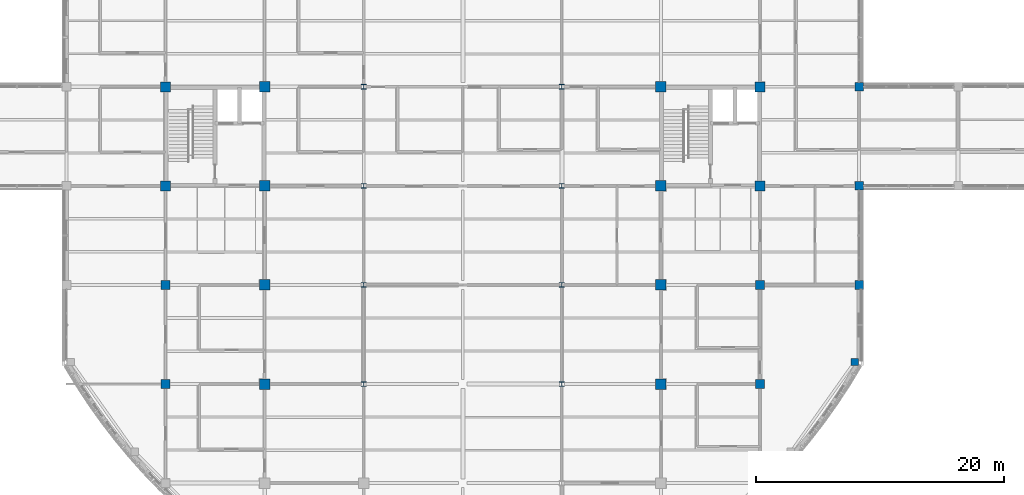
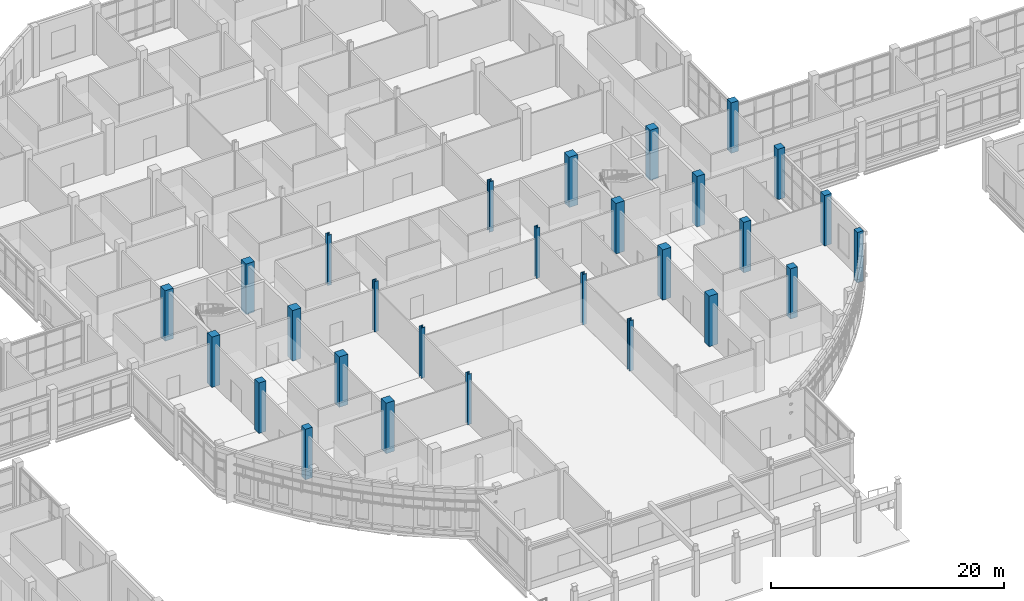
# One storey, part 4 of 105: 28 columns.
"""IFC4 building model written with IfcOpenShell, lengths in metres."""

import ifcopenshell
import ifcopenshell.guid

model = None  # the IFC model being written
_history = None  # IfcOwnerHistory: only IFC2X3 demands one
_inside = {}  # id of a spatial element -> (the spatial element, [elements in it])
_under = {}  # id of a project, library or spatial element -> (it, [spatial elements below it])
_declared = {}  # id of a project -> (the project, [libraries it declares])
_typed = {}  # id of a type object -> (the type object, [elements of that type])
_made_of = {}  # id of a material, layer set ... -> (it, [elements and type objects made of it])


def new_model(schema):
    """Start an empty IFC model of exactly this schema.

    Asked for "IFC4X3", IfcOpenShell would pick the latest addendum, in which some entities
    have other attributes; the version numbers below select the first issue.
    IFC2X3 requires an IfcOwnerHistory on every rooted entity: one is made here for all.
    """
    global model, _history
    if schema == "IFC4X3":
        model = ifcopenshell.file(schema_version=(4, 3, 0, 0))
    else:
        model = ifcopenshell.file(schema=schema)
    _inside.clear()
    _under.clear()
    _declared.clear()
    _typed.clear()
    _made_of.clear()
    _history = None
    if model.schema == "IFC2X3":
        org = make("IfcOrganization", Name="unknown")
        user = make(
            "IfcPersonAndOrganization",
            ThePerson=make("IfcPerson", FamilyName="unknown"),
            TheOrganization=org,
        )
        app = make(
            "IfcApplication",
            ApplicationDeveloper=org,
            Version="unknown",
            ApplicationFullName="unknown",
            ApplicationIdentifier="unknown",
        )
        _history = make(
            "IfcOwnerHistory",
            OwningUser=user,
            OwningApplication=app,
            ChangeAction="ADDED",
            CreationDate=0,
        )
    return model


def make(cls, **values):
    """One entity of the class cls with the attributes given. An attribute that is None is left unset."""
    return model.create_entity(
        cls, **{name: value for name, value in values.items() if value is not None}
    )


def rooted(cls, **values):
    """An entity with a GlobalId (a new one), such as an element, a storey or a relation."""
    return make(cls, GlobalId=ifcopenshell.guid.new(), OwnerHistory=_history, **values)


def si_unit(unit_type, name, prefix=None):
    """IfcSIUnit, for example si_unit("LENGTHUNIT", "METRE", prefix="MILLI")."""
    return make("IfcSIUnit", UnitType=unit_type, Prefix=prefix, Name=name)


def derived_unit(unit_type, elements):
    """IfcDerivedUnit: a product of units, each with its exponent."""
    return make(
        "IfcDerivedUnit",
        Elements=[
            make("IfcDerivedUnitElement", Unit=unit, Exponent=power)
            for unit, power in elements
        ],
        UnitType=unit_type,
    )


def assignment(units):
    """IfcUnitAssignment: the units of a project."""
    return None if units is None else make("IfcUnitAssignment", Units=units)


def point(xyz):
    """IfcCartesianPoint."""
    return None if xyz is None else make("IfcCartesianPoint", Coordinates=xyz)


def direction(xyz):
    """IfcDirection."""
    return None if xyz is None else make("IfcDirection", DirectionRatios=xyz)


def frame(location, z_axis=None, x_axis=None):
    """IfcAxis2Placement3D, a coordinate frame: its origin and axes. An axis left out is left unset."""
    return make(
        "IfcAxis2Placement3D",
        Location=point(location),
        Axis=direction(z_axis),
        RefDirection=direction(x_axis),
    )


def frame_2d(location, x_axis=None):
    """IfcAxis2Placement2D, a coordinate frame in the plane: its origin and x axis."""
    return make(
        "IfcAxis2Placement2D", Location=point(location), RefDirection=direction(x_axis)
    )


def origin():
    """The frame at (0, 0, 0) with its axes left unset."""
    return frame((0.0, 0.0, 0.0))


def origin_2d():
    """The frame at (0, 0) in the plane with its x axis left unset."""
    return frame_2d((0.0, 0.0))


def place(relative_to, where):
    """IfcLocalPlacement: puts the frame where relative to a parent placement (None: the world)."""
    return make(
        "IfcLocalPlacement", PlacementRelTo=relative_to, RelativePlacement=where
    )


def context(
    kind, dimensions, precision=None, world=None, true_north=None, identifier=None
):
    """IfcGeometricRepresentationContext, for example the 3D "Model" context."""
    return make(
        "IfcGeometricRepresentationContext",
        ContextIdentifier=identifier,
        ContextType=kind,
        CoordinateSpaceDimension=dimensions,
        Precision=precision,
        WorldCoordinateSystem=world,
        TrueNorth=true_north,
    )


def subcontext(parent, identifier, kind, view, scale=None):
    """IfcGeometricRepresentationSubContext, for example "Body" below "Model"."""
    return make(
        "IfcGeometricRepresentationSubContext",
        ContextIdentifier=identifier,
        ContextType=kind,
        ParentContext=parent,
        TargetScale=scale,
        TargetView=view,
    )


def project(units=None, contexts=None):
    """IfcProject with its units and contexts."""
    return rooted(
        "IfcProject",
        Name="project",
        RepresentationContexts=contexts,
        UnitsInContext=assignment(units),
    )


def spatial(cls, under=None, at=None, **own):
    """A site, building, storey or space (cls), placed at a placement, below another one or the project."""
    s = rooted(cls, ObjectPlacement=at, **own)
    if under is not None:
        _under.setdefault(under.id(), (under, []))[1].append(s)
    return s


def profile(cls, at=None, kind="AREA", **sizes):
    """A parametric profile (cls). Its sizes go by their IFC names, for example OverallWidth=200.0."""
    return make(cls, ProfileType=kind, Position=at, **sizes)


def rectangle(**sizes):
    """IfcRectangleProfileDef."""
    return profile("IfcRectangleProfileDef", **sizes)


def i_section(**sizes):
    """IfcIShapeProfileDef."""
    return profile("IfcIShapeProfileDef", **sizes)


def extrude(swept, where, along, depth):
    """IfcExtrudedAreaSolid: the profile swept, set in the frame where, extruded along a direction by depth."""
    return make(
        "IfcExtrudedAreaSolid",
        SweptArea=swept,
        Position=where,
        ExtrudedDirection=direction(along),
        Depth=depth,
    )


def shape(context_of_items, identifier, shape_type, items):
    """IfcShapeRepresentation: the items that make up one representation, for example the "Body"."""
    return make(
        "IfcShapeRepresentation",
        ContextOfItems=context_of_items,
        RepresentationIdentifier=identifier,
        RepresentationType=shape_type,
        Items=items,
    )


def material(Name=None, Category=None):
    """IfcMaterial."""
    return make("IfcMaterial", Name=Name, Category=Category)


def material_profile(
    of_material, cross_section, Name=None, Category=None, Priority=None
):
    """IfcMaterialProfile: a cross section and its material."""
    return make(
        "IfcMaterialProfile",
        Name=Name,
        Material=of_material,
        Profile=cross_section,
        Priority=Priority,
        Category=Category,
    )


def profile_set(profiles, Name=None, composite=None):
    """IfcMaterialProfileSet."""
    return make(
        "IfcMaterialProfileSet",
        Name=Name,
        MaterialProfiles=profiles,
        CompositeProfile=composite,
    )


def made_of(thing, what):
    """Note that an element or type object is made of a material, layer set ...; save() writes the relation."""
    if what is not None:
        _made_of.setdefault(what.id(), (what, []))[1].append(thing)
    return thing


def type_object(cls, material=None, **own):
    """A type object (cls), such as IfcWallType, which elements share."""
    return made_of(rooted(cls, **own), material)


def element(
    cls,
    number,
    at=None,
    inside=None,
    cuts=None,
    type_object=None,
    material=None,
    context=None,
    identifier="Body",
    shape_type=None,
    held_by="IfcProductDefinitionShape",
    body=None,
    shapes=None,
    **own,
):
    """One element of the class cls, such as IfcWall. Its Tag is "e" and its number.

    at: its placement. inside: the storey or other place that contains it. cuts: it is an
    opening in that element (IfcRelVoidsElement). A single representation is given by context,
    identifier, shape_type and body (its items); several are given by shapes. held_by: the class
    of the entity that holds the representations. save() writes the other relations.
    """
    e = rooted(cls, Tag="e%d" % number, ObjectPlacement=at, **own)
    if body is not None:
        shapes = [shape(context, identifier, shape_type, body)]
    if shapes is not None:
        e.Representation = make(held_by, Representations=shapes)
    if inside is not None:
        _inside.setdefault(inside.id(), (inside, []))[1].append(e)
    if cuts is not None:
        rooted(
            "IfcRelVoidsElement", RelatingBuildingElement=cuts, RelatedOpeningElement=e
        )
    if type_object is not None:
        _typed.setdefault(type_object.id(), (type_object, []))[1].append(e)
    return made_of(e, material)


def aggregate(whole, parts):
    """IfcRelAggregates: a whole, such as a stair, and the parts it consists of."""
    return rooted("IfcRelAggregates", RelatingObject=whole, RelatedObjects=parts)


def save(model, path):
    """Write the relations noted so far, then the file.

    IfcRelAggregates (storeys below a building ...), IfcRelContainedInSpatialStructure (elements
    in a storey), IfcRelDefinesByType, IfcRelAssociatesMaterial and IfcRelDeclares: one each for
    every whole, place, type object, material and project.
    """
    for whole, parts in _under.values():
        aggregate(whole, parts)
    for where, things in _inside.values():
        rooted(
            "IfcRelContainedInSpatialStructure",
            RelatedElements=things,
            RelatingStructure=where,
        )
    for kind, things in _typed.values():
        rooted("IfcRelDefinesByType", RelatedObjects=things, RelatingType=kind)
    for what, things in _made_of.values():
        rooted("IfcRelAssociatesMaterial", RelatedObjects=things, RelatingMaterial=what)
    for by, libraries in _declared.values():
        rooted("IfcRelDeclares", RelatingContext=by, RelatedDefinitions=libraries)
    model.write(path)


model = new_model("IFC4")

# Units and contexts
model_context = context("Model", 3, precision=1e-05, world=origin(), true_north=direction((0.0, 1.0)))
body_context = subcontext(model_context, "Body", "Model", "MODEL_VIEW")
ifc_project = project(units=[si_unit("LENGTHUNIT", "METRE"), si_unit("AREAUNIT", "SQUARE_METRE"), si_unit("VOLUMEUNIT", "CUBIC_METRE"), si_unit("PLANEANGLEUNIT", "RADIAN"), si_unit("MASSUNIT", "GRAM", prefix="KILO"), derived_unit("THERMALTRANSMITTANCEUNIT", [(si_unit("MASSUNIT", "GRAM", prefix="KILO"), 1), (si_unit("TIMEUNIT", "SECOND"), -3), (si_unit("THERMODYNAMICTEMPERATUREUNIT", "KELVIN"), -1)])], contexts=[model_context])

# Site, building, storey
site_placement = place(None, origin())
site = spatial("IfcSite", under=ifc_project, at=site_placement, CompositionType="ELEMENT")
building_placement = place(site_placement, origin())
building = spatial("IfcBuilding", under=site, at=building_placement, Name="Veyamyaing Civic Hall", CompositionType="ELEMENT")
storey_placement = place(building_placement, origin())
storey = spatial("IfcBuildingStorey", under=building, at=storey_placement, Name="L00", CompositionType="ELEMENT", Elevation=0.0)

# Columns
ifc_material_1 = material(Name="Concrete C45/55", Category="concrete")
ifc_material_profile_1 = material_profile(ifc_material_1, rectangle(XDim=0.85009765625, YDim=0.85009765625, at=origin_2d()), Name="RC-COL-850X850")
ifc_profile_set_1 = profile_set([ifc_material_profile_1], Name="Concrete C45/55")
column_type_1 = type_object("IfcColumnType", Name="C-01", PredefinedType="COLUMN", material=ifc_profile_set_1)
for number, where, z_axis, x_axis, name in (
    (1, (72.0, 32.0, 0.0), (0.0, 0.0, 1.0), (1.0, 0.0, 0.0), "Column C-01 10-E L00"),
    (2, (72.0, 40.0, 0.0), (0.0, 0.0, 1.0), (1.0, 0.0, 0.0), "Column C-01 10-F L00"),
    (3, (72.0, 48.0, 0.0), (0.0, 0.0, 1.0), (1.0, 0.0, 0.0), "Column C-01 10-G L00"),
    (4, (72.0, 56.0, 0.0), (0.0, 0.0, 1.0), (1.0, 0.0, 0.0), "Column C-01 10-H L00"),
    (5, (104.0, 32.0, 0.0), (0.0, 0.0, 1.0), (1.0, 0.0, 0.0), "Column C-01 14-E L00"),
    (6, (104.0, 40.0, 0.0), (0.0, 0.0, 1.0), (1.0, 0.0, 0.0), "Column C-01 14-F L00"),
    (7, (104.0, 48.0, 0.0), (0.0, 0.0, 1.0), (1.0, 0.0, 0.0), "Column C-01 14-G L00"),
    (8, (104.0, 56.0, 0.0), (0.0, 0.0, 1.0), (1.0, 0.0, 0.0), "Column C-01 14-H L00"),
):
    element("IfcColumn", number, at=place(storey_placement, frame(where, z_axis=z_axis, x_axis=x_axis)), inside=storey, type_object=column_type_1, Name=name, PredefinedType="COLUMN", context=body_context, shape_type="SweptSolid", body=[
        extrude(rectangle(XDim=0.85009765625, YDim=0.85009765625, at=origin_2d()), origin(), (0.0, 0.0, 1.0), 5.280029296875),
    ])
ifc_material_profile_2 = material_profile(ifc_material_1, rectangle(XDim=0.800048828125, YDim=0.800048828125, at=origin_2d()), Name="RC-COL-800X800")
ifc_profile_set_2 = profile_set([ifc_material_profile_2], Name="Concrete C45/55")
column_type_2 = type_object("IfcColumnType", Name="C-02", PredefinedType="COLUMN", material=ifc_profile_set_2)
for number, where, z_axis, x_axis, name in (
    (9, (64.0, 48.0, 0.0), (0.0, 0.0, 1.0), (1.0, 0.0, 0.0), "Column C-02 9-G L00"),
    (10, (64.0, 56.0, 0.0), (0.0, 0.0, 1.0), (1.0, 0.0, 0.0), "Column C-02 9-H L00"),
    (11, (112.0, 48.0, 0.0), (0.0, 0.0, 1.0), (1.0, 0.0, 0.0), "Column C-02 15-G L00"),
    (12, (112.0, 56.0, 0.0), (0.0, 0.0, 1.0), (1.0, 0.0, 0.0), "Column C-02 15-H L00"),
):
    element("IfcColumn", number, at=place(storey_placement, frame(where, z_axis=z_axis, x_axis=x_axis)), inside=storey, type_object=column_type_2, Name=name, PredefinedType="COLUMN", context=body_context, shape_type="SweptSolid", body=[
        extrude(rectangle(XDim=0.800048828125, YDim=0.800048828125, at=origin_2d()), origin(), (0.0, 0.0, 1.0), 5.280029296875),
    ])
ifc_material_profile_3 = material_profile(ifc_material_1, rectangle(XDim=0.699951171875, YDim=0.699951171875, at=origin_2d()), Name="RC-COL-700X700")
ifc_profile_set_3 = profile_set([ifc_material_profile_3], Name="Concrete C45/55")
column_type_3 = type_object("IfcColumnType", Name="C-04", PredefinedType="COLUMN", material=ifc_profile_set_3)
for number, where, z_axis, x_axis, name in (
    (13, (64.0, 32.0, 0.0), (0.0, 0.0, 1.0), (1.0, 0.0, 0.0), "Column C-04 9-E L00"),
    (14, (64.0, 40.0, 0.0), (0.0, 0.0, 1.0), (1.0, 0.0, 0.0), "Column C-04 9-F L00"),
    (15, (112.0, 32.0, 0.0), (0.0, 0.0, 1.0), (1.0, 0.0, 0.0), "Column C-04 15-E L00"),
    (16, (112.0, 40.0, 0.0), (0.0, 0.0, 1.0), (1.0, 0.0, 0.0), "Column C-04 15-F L00"),
    (17, (120.0, 40.0, 0.0), (0.0, 0.0, 1.0), (1.0, 0.0, 0.0), "Column C-04 16-F L00"),
    (18, (120.0, 48.0, 0.0), (0.0, 0.0, 1.0), (1.0, 0.0, 0.0), "Column C-04 16-G L00"),
    (19, (120.0, 56.0, 0.0), (0.0, 0.0, 1.0), (1.0, 0.0, 0.0), "Column C-04 16-H L00"),
):
    element("IfcColumn", number, at=place(storey_placement, frame(where, z_axis=z_axis, x_axis=x_axis)), inside=storey, type_object=column_type_3, Name=name, PredefinedType="COLUMN", context=body_context, shape_type="SweptSolid", body=[
        extrude(rectangle(XDim=0.699951171875, YDim=0.699951171875, at=origin_2d()), origin(), (0.0, 0.0, 1.0), 5.280029296875),
    ])
ifc_material_profile_4 = material_profile(ifc_material_1, rectangle(XDim=0.60009765625, YDim=0.60009765625, at=origin_2d()), Name="RC-COL-600X600")
ifc_profile_set_4 = profile_set([ifc_material_profile_4], Name="Concrete C45/55")
column_type_4 = type_object("IfcColumnType", Name="C-06", PredefinedType="COLUMN", material=ifc_profile_set_4)
column_placement = place(storey_placement, frame((119.63623046875, 33.779296875, 0.0), z_axis=(0.0, 0.0, 1.0), x_axis=(1.0, 0.0, 0.0)))
element("IfcColumn", 20, at=column_placement, inside=storey, type_object=column_type_4, Name="Curved corner column C-06 ARC-SE-14 L00", PredefinedType="COLUMN", context=body_context, shape_type="SweptSolid", body=[
    extrude(rectangle(XDim=0.60009765625, YDim=0.60009765625, at=origin_2d()), origin(), (0.0, 0.0, 1.0), 5.280029296875),
])
ifc_material_2 = material(Name="Steel S355J2", Category="steel")
ifc_material_profile_5 = material_profile(ifc_material_2, i_section(OverallWidth=0.39794921875, OverallDepth=0.386962890625, WebThickness=0.02099609375, FlangeThickness=0.033203125, FilletRadius=0.014892578125, at=origin_2d()), Name="W360X262")
ifc_profile_set_5 = profile_set([ifc_material_profile_5], Name="Steel S355J2")
column_type_5 = type_object("IfcColumnType", Name="C-08", PredefinedType="COLUMN", material=ifc_profile_set_5)
for number, where, z_axis, x_axis, name in (
    (21, (80.0, 32.0, 0.0), (0.0, 0.0, 1.0), (1.0, 0.0, 0.0), "Column C-08 11-E L00"),
    (22, (80.0, 40.0, 0.0), (0.0, 0.0, 1.0), (1.0, 0.0, 0.0), "Column C-08 11-F L00"),
    (23, (80.0, 48.0, 0.0), (0.0, 0.0, 1.0), (1.0, 0.0, 0.0), "Column C-08 11-G L00"),
    (24, (80.0, 56.0, 0.0), (0.0, 0.0, 1.0), (1.0, 0.0, 0.0), "Column C-08 11-H L00"),
    (25, (96.0, 32.0, 0.0), (0.0, 0.0, 1.0), (1.0, 0.0, 0.0), "Column C-08 13-E L00"),
    (26, (96.0, 40.0, 0.0), (0.0, 0.0, 1.0), (1.0, 0.0, 0.0), "Column C-08 13-F L00"),
    (27, (96.0, 48.0, 0.0), (0.0, 0.0, 1.0), (1.0, 0.0, 0.0), "Column C-08 13-G L00"),
    (28, (96.0, 56.0, 0.0), (0.0, 0.0, 1.0), (1.0, 0.0, 0.0), "Column C-08 13-H L00"),
):
    element("IfcColumn", number, at=place(storey_placement, frame(where, z_axis=z_axis, x_axis=x_axis)), inside=storey, type_object=column_type_5, Name=name, PredefinedType="COLUMN", context=body_context, shape_type="SweptSolid", body=[
        extrude(i_section(OverallWidth=0.39794921875, OverallDepth=0.386962890625, WebThickness=0.02099609375, FlangeThickness=0.033203125, FilletRadius=0.014892578125, at=origin_2d()), origin(), (0.0, 0.0, 1.0), 5.280029296875),
    ])

save(model, "model.ifc")
